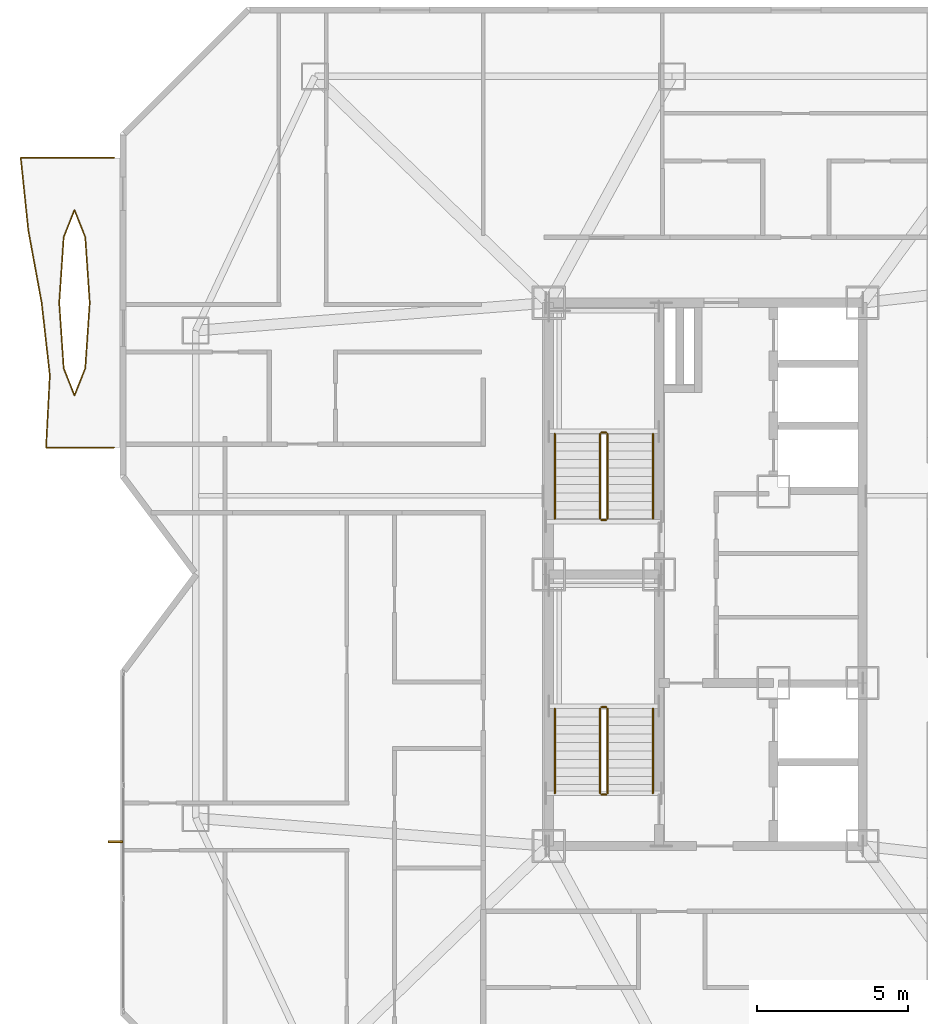
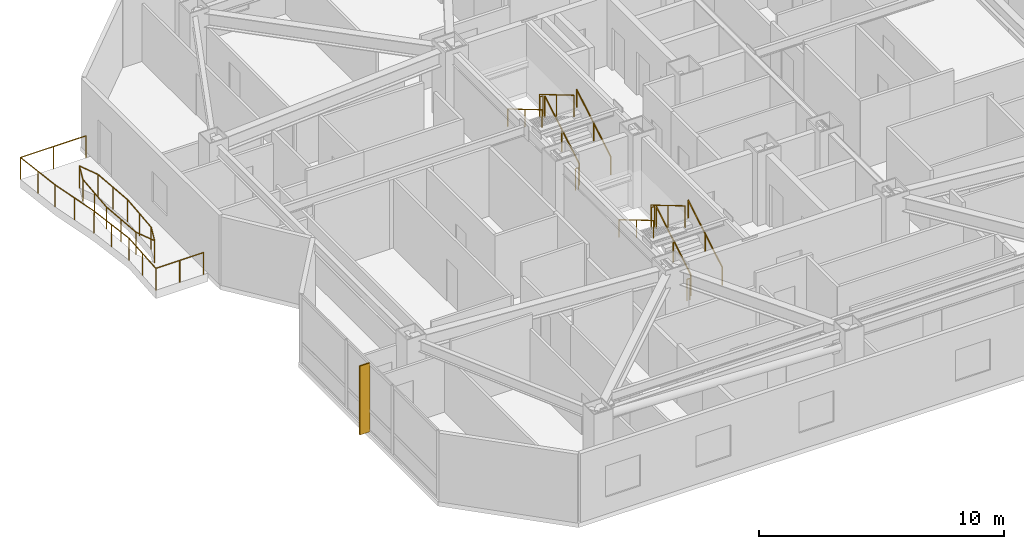
# One storey, part 16 of 17: 16 railings, 1 shading device.
"""IFC4 building model written with IfcOpenShell, lengths in metres."""

from ifc_helpers import new_model, si_unit, direction, frame, origin, origin_2d, place, context, subcontext, project, spatial, rectangle, circle, extrude, material, type_object, element, save


model = new_model("IFC4")

# Units and contexts
model_context = context("Model", 3, precision=1e-05, world=origin(), true_north=direction((0.0, 1.0)))
body_context = subcontext(model_context, "Body", "Model", "MODEL_VIEW")
ifc_project = project(units=[si_unit("LENGTHUNIT", "METRE"), si_unit("AREAUNIT", "SQUARE_METRE"), si_unit("VOLUMEUNIT", "CUBIC_METRE"), si_unit("PLANEANGLEUNIT", "RADIAN"), si_unit("MASSUNIT", "GRAM", prefix="KILO")], contexts=[model_context])

# Site, building, storey
site_placement = place(None, origin())
site = spatial("IfcSite", under=ifc_project, at=site_placement, CompositionType="ELEMENT")
building_placement = place(site_placement, origin())
building = spatial("IfcBuilding", under=site, at=building_placement, Name="Khamvora Tower", CompositionType="ELEMENT")
storey_placement = place(building_placement, frame((0.0, 0.0, 192.39990234375)))
storey = spatial("IfcBuildingStorey", under=building, at=storey_placement, Name="L49", CompositionType="ELEMENT", Elevation=192.39990234375)

# Railings
ifc_material_1 = material(Name="Stainless Steel 316 and Laminated Glass", Category="steel")
railing_type_1 = type_object("IfcRailingType", Name="RAL-GAL-1120", PredefinedType="GUARDRAIL", material=ifc_material_1)
railing_1_placement = place(storey_placement, frame((14.60009765625, 32.199951171875, 0.0)))
element("IfcRailing", 1, at=railing_1_placement, inside=storey, type_object=railing_type_1, Name="L49 lens gallery south perimeter guardrail WL2", PredefinedType="GUARDRAIL", context=body_context, shape_type="SweptSolid", body=[
    extrude(circle(Radius=0.02392578125, at=origin_2d()), frame((0.0, 0.0, 1.09619140625), z_axis=(-1.0, 0.0, 0.0), x_axis=(0.0, -1.0, 0.0)), (0.0, 0.0, 1.0), 2.258056640625),
    extrude(circle(Radius=0.02392578125, at=origin_2d()), frame((-2.258056640625, 0.0, 1.09619140625), z_axis=(0.052009668359, 0.998646581328, 0.0), x_axis=(-0.998646581328, 0.052009668359, 0.0)), (0.0, 0.0, 1.0), 2.4033203125),
    extrude(circle(Radius=0.02392578125, at=origin_2d()), frame((-2.133056640625, 2.400146484375, 1.09619140625), z_axis=(-0.112206535725, 0.993684906467, 0.0), x_axis=(-0.993684906467, -0.112206535725, 0.0)), (0.0, 0.0, 1.0), 2.4150390625),
    extrude(circle(Radius=0.02099609375, at=origin_2d()), origin(), (0.0, 0.0, 1.0), 1.072021484375),
    extrude(circle(Radius=0.02099609375, at=origin_2d()), frame((-1.12890625, 0.0, 0.0)), (0.0, 0.0, 1.0), 1.072021484375),
    extrude(circle(Radius=0.02099609375, at=origin_2d()), frame((-2.258056640625, 0.0, 0.0)), (0.0, 0.0, 1.0), 1.072021484375),
    extrude(circle(Radius=0.02099609375, at=origin_2d()), frame((-2.195556640625, 1.2001953125, 0.0)), (0.0, 0.0, 1.0), 1.072021484375),
    extrude(circle(Radius=0.02099609375, at=origin_2d()), frame((-2.133056640625, 2.400146484375, 0.0)), (0.0, 0.0, 1.0), 1.072021484375),
    extrude(circle(Radius=0.02099609375, at=origin_2d()), frame((-2.2685546875, 3.60009765625, 0.0)), (0.0, 0.0, 1.0), 1.072021484375),
    extrude(circle(Radius=0.02099609375, at=origin_2d()), frame((-2.404052734375, 4.800048828125, 0.0)), (0.0, 0.0, 1.0), 1.072021484375),
])
railing_2_placement = place(storey_placement, frame((12.196044921875, 37.0, 0.0)))
element("IfcRailing", 2, at=railing_2_placement, inside=storey, type_object=railing_type_1, Name="L49 lens gallery north perimeter guardrail WL2", PredefinedType="GUARDRAIL", context=body_context, shape_type="SweptSolid", body=[
    extrude(circle(Radius=0.02392578125, at=origin_2d()), frame((0.0, 0.0, 1.09619140625), z_axis=(-0.181182800435, 0.983449435826, 0.0), x_axis=(-0.983449435826, -0.181182800435, 0.0)), (0.0, 0.0, 1.0), 2.440185546875),
    extrude(circle(Radius=0.02392578125, at=origin_2d()), frame((-0.442138671875, 2.39990234375, 1.09619140625), z_axis=(-0.103599828901, 0.994619060471, 0.0), x_axis=(-0.994619060471, -0.103599828901, 0.0)), (0.0, 0.0, 1.0), 2.4130859375),
    extrude(circle(Radius=0.02392578125, at=origin_2d()), frame((-0.692138671875, 4.800048828125, 1.09619140625), z_axis=(1.0, 0.0, 0.0), x_axis=(0.0, 1.0, 0.0)), (0.0, 0.0, 1.0), 3.09619140625),
    extrude(circle(Radius=0.02099609375, at=origin_2d()), origin(), (0.0, 0.0, 1.0), 1.072021484375),
    extrude(circle(Radius=0.02099609375, at=origin_2d()), frame((-0.22119140625, 1.199951171875, 0.0)), (0.0, 0.0, 1.0), 1.072021484375),
    extrude(circle(Radius=0.02099609375, at=origin_2d()), frame((-0.442138671875, 2.39990234375, 0.0)), (0.0, 0.0, 1.0), 1.072021484375),
    extrude(circle(Radius=0.02099609375, at=origin_2d()), frame((-0.567138671875, 3.60009765625, 0.0)), (0.0, 0.0, 1.0), 1.072021484375),
    extrude(circle(Radius=0.02099609375, at=origin_2d()), frame((-0.692138671875, 4.800048828125, 0.0)), (0.0, 0.0, 1.0), 1.072021484375),
    extrude(circle(Radius=0.02099609375, at=origin_2d()), frame((0.85595703125, 4.800048828125, 0.0)), (0.0, 0.0, 1.0), 1.072021484375),
    extrude(circle(Radius=0.02099609375, at=origin_2d()), frame((2.404052734375, 4.800048828125, 0.0)), (0.0, 0.0, 1.0), 1.072021484375),
])
railing_3_placement = place(storey_placement, frame((13.7890625, 37.0, 0.0)))
element("IfcRailing", 3, at=railing_3_placement, inside=storey, type_object=railing_type_1, Name="L49 lens gallery void guardrail WL2A", PredefinedType="GUARDRAIL", context=body_context, shape_type="SweptSolid", body=[
    extrude(circle(Radius=0.02392578125, at=origin_2d()), frame((0.0, 0.0, 1.09619140625), z_axis=(-0.067955394668, 0.997688360329, 0.0), x_axis=(-0.997688360329, -0.067955394668, 0.0)), (0.0, 0.0, 1.0), 2.17724609375),
    extrude(circle(Radius=0.02392578125, at=origin_2d()), frame((-0.14794921875, 2.172119140625, 1.09619140625), z_axis=(-0.368039364147, 0.929810209902, 0.0), x_axis=(-0.929810209902, -0.368039364147, 0.0)), (0.0, 0.0, 1.0), 0.9677734375),
    extrude(circle(Radius=0.02392578125, at=origin_2d()), frame((-0.504150390625, 3.072021484375, 1.09619140625), z_axis=(-0.367821247872, -0.92989651554, 0.0), x_axis=(0.92989651554, -0.367821247872, 0.0)), (0.0, 0.0, 1.0), 0.9677734375),
    extrude(circle(Radius=0.02392578125, at=origin_2d()), frame((-0.860107421875, 2.172119140625, 1.09619140625), z_axis=(-0.067955394668, -0.997688360329, 0.0), x_axis=(0.997688360329, -0.067955394668, 0.0)), (0.0, 0.0, 1.0), 2.17724609375),
    extrude(circle(Radius=0.02099609375, at=origin_2d()), origin(), (0.0, 0.0, 1.0), 1.072021484375),
    extrude(circle(Radius=0.02099609375, at=origin_2d()), frame((-0.073974609375, 1.0859375, 0.0)), (0.0, 0.0, 1.0), 1.072021484375),
    extrude(circle(Radius=0.02099609375, at=origin_2d()), frame((-0.14794921875, 2.172119140625, 0.0)), (0.0, 0.0, 1.0), 1.072021484375),
    extrude(circle(Radius=0.02099609375, at=origin_2d()), frame((-0.504150390625, 3.072021484375, 0.0)), (0.0, 0.0, 1.0), 1.072021484375),
    extrude(circle(Radius=0.02099609375, at=origin_2d()), frame((-0.860107421875, 2.172119140625, 0.0)), (0.0, 0.0, 1.0), 1.072021484375),
    extrude(circle(Radius=0.02099609375, at=origin_2d()), frame((-0.93408203125, 1.0859375, 0.0)), (0.0, 0.0, 1.0), 1.072021484375),
    extrude(circle(Radius=0.02099609375, at=origin_2d()), frame((-1.008056640625, 0.0, 0.0)), (0.0, 0.0, 1.0), 1.072021484375),
])
railing_4_placement = place(storey_placement, frame((12.781005859375, 37.0, 0.0)))
element("IfcRailing", 4, at=railing_4_placement, inside=storey, type_object=railing_type_1, Name="L49 lens gallery void guardrail WL2B", PredefinedType="GUARDRAIL", context=body_context, shape_type="SweptSolid", body=[
    extrude(circle(Radius=0.02392578125, at=origin_2d()), frame((0.0, 0.0, 1.09619140625), z_axis=(0.067955394668, -0.997688360329, 0.0), x_axis=(0.997688360329, 0.067955394668, 0.0)), (0.0, 0.0, 1.0), 2.17724609375),
    extrude(circle(Radius=0.02392578125, at=origin_2d()), frame((0.14794921875, -2.172119140625, 1.09619140625), z_axis=(0.367821247872, -0.92989651554, 0.0), x_axis=(0.92989651554, 0.367821247872, 0.0)), (0.0, 0.0, 1.0), 0.9677734375),
    extrude(circle(Radius=0.02392578125, at=origin_2d()), frame((0.50390625, -3.072021484375, 1.09619140625), z_axis=(0.368039364147, 0.929810209902, 0.0), x_axis=(-0.929810209902, 0.368039364147, 0.0)), (0.0, 0.0, 1.0), 0.9677734375),
    extrude(circle(Radius=0.02392578125, at=origin_2d()), frame((0.860107421875, -2.172119140625, 1.09619140625), z_axis=(0.067955394668, 0.997688360329, 0.0), x_axis=(-0.997688360329, 0.067955394668, 0.0)), (0.0, 0.0, 1.0), 2.17724609375),
    extrude(circle(Radius=0.02099609375, at=origin_2d()), origin(), (0.0, 0.0, 1.0), 1.072021484375),
    extrude(circle(Radius=0.02099609375, at=origin_2d()), frame((0.073974609375, -1.0859375, 0.0)), (0.0, 0.0, 1.0), 1.072021484375),
    extrude(circle(Radius=0.02099609375, at=origin_2d()), frame((0.14794921875, -2.172119140625, 0.0)), (0.0, 0.0, 1.0), 1.072021484375),
    extrude(circle(Radius=0.02099609375, at=origin_2d()), frame((0.50390625, -3.072021484375, 0.0)), (0.0, 0.0, 1.0), 1.072021484375),
    extrude(circle(Radius=0.02099609375, at=origin_2d()), frame((0.860107421875, -2.172119140625, 0.0)), (0.0, 0.0, 1.0), 1.072021484375),
    extrude(circle(Radius=0.02099609375, at=origin_2d()), frame((0.93408203125, -1.0859375, 0.0)), (0.0, 0.0, 1.0), 1.072021484375),
    extrude(circle(Radius=0.02099609375, at=origin_2d()), frame((1.008056640625, 0.0, 0.0)), (0.0, 0.0, 1.0), 1.072021484375),
])
ifc_material_2 = material(Name="Brushed Stainless Steel 316", Category="steel")
railing_type_2 = type_object("IfcRailingType", Name="RAL-HDR-920", PredefinedType="HANDRAIL", material=ifc_material_2)
railing_5_placement = place(storey_placement, frame((32.449951171875, 20.75, 0.166015625)))
element("IfcRailing", 5, at=railing_5_placement, inside=storey, type_object=railing_type_2, Name="L49 ST-01 stair handrail 1", PredefinedType="HANDRAIL", context=body_context, shape_type="SweptSolid", body=[
    extrude(circle(Radius=0.02392578125, at=origin_2d()), frame((0.0, 0.0, 0.8759765625), z_axis=(0.0, 0.860306154799, 0.50977771628), x_axis=(-1.0, 0.0, 0.0)), (0.0, 0.0, 1.0), 3.254638671875),
    extrude(circle(Radius=0.02099609375, at=origin_2d()), origin(), (0.0, 0.0, 1.0), 0.851806640625),
    extrude(circle(Radius=0.02099609375, at=origin_2d()), frame((0.0, 1.39990234375, 0.82958984375)), (0.0, 0.0, 1.0), 0.851806640625),
    extrude(circle(Radius=0.02099609375, at=origin_2d()), frame((0.0, 2.800048828125, 1.6591796875)), (0.0, 0.0, 1.0), 0.851806640625),
])
railing_6_placement = place(storey_placement, frame((29.199951171875, 23.550048828125, 1.990966796875)))
element("IfcRailing", 6, at=railing_6_placement, inside=storey, type_object=railing_type_2, Name="L49 ST-01 stair handrail 2", PredefinedType="HANDRAIL", context=body_context, shape_type="SweptSolid", body=[
    extrude(circle(Radius=0.02392578125, at=origin_2d()), frame((0.0, 0.0, 0.8759765625), z_axis=(0.0, -0.860306154799, 0.50977771628), x_axis=(1.0, 0.0, 0.0)), (0.0, 0.0, 1.0), 3.254638671875),
    extrude(circle(Radius=0.02099609375, at=origin_2d()), origin(), (0.0, 0.0, 1.0), 0.851806640625),
    extrude(circle(Radius=0.02099609375, at=origin_2d()), frame((0.0, -1.39990234375, 0.82958984375)), (0.0, 0.0, 1.0), 0.851806640625),
    extrude(circle(Radius=0.02099609375, at=origin_2d()), frame((0.0, -2.800048828125, 1.6591796875)), (0.0, 0.0, 1.0), 0.851806640625),
])
railing_7_placement = place(storey_placement, frame((32.449951171875, 29.85009765625, 0.166015625)))
element("IfcRailing", 7, at=railing_7_placement, inside=storey, type_object=railing_type_2, Name="L49 ST-02 stair handrail 1", PredefinedType="HANDRAIL", context=body_context, shape_type="SweptSolid", body=[
    extrude(circle(Radius=0.02392578125, at=origin_2d()), frame((0.0, 0.0, 0.8759765625), z_axis=(0.0, 0.860286659441, 0.509810615413), x_axis=(-1.0, 0.0, 0.0)), (0.0, 0.0, 1.0), 3.25439453125),
    extrude(circle(Radius=0.02099609375, at=origin_2d()), origin(), (0.0, 0.0, 1.0), 0.851806640625),
    extrude(circle(Radius=0.02099609375, at=origin_2d()), frame((0.0, 1.39990234375, 0.82958984375)), (0.0, 0.0, 1.0), 0.851806640625),
    extrude(circle(Radius=0.02099609375, at=origin_2d()), frame((0.0, 2.7998046875, 1.6591796875)), (0.0, 0.0, 1.0), 0.851806640625),
])
railing_8_placement = place(storey_placement, frame((29.199951171875, 32.64990234375, 1.990966796875)))
element("IfcRailing", 8, at=railing_8_placement, inside=storey, type_object=railing_type_2, Name="L49 ST-02 stair handrail 2", PredefinedType="HANDRAIL", context=body_context, shape_type="SweptSolid", body=[
    extrude(circle(Radius=0.02392578125, at=origin_2d()), frame((0.0, 0.0, 0.8759765625), z_axis=(0.0, -0.860286659441, 0.509810615413), x_axis=(1.0, 0.0, 0.0)), (0.0, 0.0, 1.0), 3.25439453125),
    extrude(circle(Radius=0.02099609375, at=origin_2d()), origin(), (0.0, 0.0, 1.0), 0.851806640625),
    extrude(circle(Radius=0.02099609375, at=origin_2d()), frame((0.0, -1.39990234375, 0.82958984375)), (0.0, 0.0, 1.0), 0.851806640625),
    extrude(circle(Radius=0.02099609375, at=origin_2d()), frame((0.0, -2.7998046875, 1.6591796875)), (0.0, 0.0, 1.0), 0.851806640625),
])
ifc_material_3 = material(Name="Stainless Steel 316", Category="steel")
railing_type_3 = type_object("IfcRailingType", Name="RAL-STG-1100", PredefinedType="GUARDRAIL", material=ifc_material_3)
railing_9_placement = place(storey_placement, frame((30.949951171875, 20.75, 0.166015625)))
element("IfcRailing", 9, at=railing_9_placement, inside=storey, type_object=railing_type_3, Name="L49 ST-01 stair guard 1", PredefinedType="GUARDRAIL", context=body_context, shape_type="SweptSolid", body=[
    extrude(circle(Radius=0.02392578125, at=origin_2d()), frame((0.0, 0.0, 1.076171875), z_axis=(0.0, 0.860306154799, 0.50977771628), x_axis=(-1.0, 0.0, 0.0)), (0.0, 0.0, 1.0), 3.254638671875),
    extrude(circle(Radius=0.02099609375, at=origin_2d()), origin(), (0.0, 0.0, 1.0), 1.052001953125),
    extrude(circle(Radius=0.02099609375, at=origin_2d()), frame((0.0, 1.39990234375, 0.82958984375)), (0.0, 0.0, 1.0), 1.052001953125),
    extrude(circle(Radius=0.02099609375, at=origin_2d()), frame((0.0, 2.800048828125, 1.6591796875)), (0.0, 0.0, 1.0), 1.052001953125),
])
railing_10_placement = place(storey_placement, frame((30.89990234375, 23.60009765625, 1.8251953125)))
element("IfcRailing", 10, at=railing_10_placement, inside=storey, type_object=railing_type_3, Name="L49 ST-01 stair guard 2", PredefinedType="GUARDRAIL", context=body_context, shape_type="SweptSolid", body=[
    extrude(circle(Radius=0.02392578125, at=origin_2d()), frame((0.0, 0.0, 1.076171875), z_axis=(-1.0, 0.0, 0.0), x_axis=(0.0, -1.0, 0.0)), (0.0, 0.0, 1.0), 0.14990234375),
    extrude(circle(Radius=0.02099609375, at=origin_2d()), origin(), (0.0, 0.0, 1.0), 1.052001953125),
    extrude(circle(Radius=0.02099609375, at=origin_2d()), frame((-0.14990234375, 0.0, 0.0)), (0.0, 0.0, 1.0), 1.052001953125),
])
railing_11_placement = place(storey_placement, frame((30.699951171875, 23.550048828125, 1.990966796875)))
element("IfcRailing", 11, at=railing_11_placement, inside=storey, type_object=railing_type_3, Name="L49 ST-01 stair guard 3", PredefinedType="GUARDRAIL", context=body_context, shape_type="SweptSolid", body=[
    extrude(circle(Radius=0.02392578125, at=origin_2d()), frame((0.0, 0.0, 1.076171875), z_axis=(0.0, -0.860306154799, 0.50977771628), x_axis=(1.0, 0.0, 0.0)), (0.0, 0.0, 1.0), 3.254638671875),
    extrude(circle(Radius=0.02099609375, at=origin_2d()), origin(), (0.0, 0.0, 1.0), 1.052001953125),
    extrude(circle(Radius=0.02099609375, at=origin_2d()), frame((0.0, -1.39990234375, 0.82958984375)), (0.0, 0.0, 1.0), 1.052001953125),
    extrude(circle(Radius=0.02099609375, at=origin_2d()), frame((0.0, -2.800048828125, 1.6591796875)), (0.0, 0.0, 1.0), 1.052001953125),
])
railing_12_placement = place(storey_placement, frame((30.89990234375, 20.699951171875, 0.0)))
element("IfcRailing", 12, at=railing_12_placement, inside=storey, type_object=railing_type_3, Name="L49 ST-01 stair guard 4", PredefinedType="GUARDRAIL", context=body_context, shape_type="SweptSolid", body=[
    extrude(circle(Radius=0.02392578125, at=origin_2d()), frame((0.0, 0.0, 1.076171875), z_axis=(-1.0, 0.0, 0.0), x_axis=(0.0, -1.0, 0.0)), (0.0, 0.0, 1.0), 0.14990234375),
    extrude(circle(Radius=0.02099609375, at=origin_2d()), origin(), (0.0, 0.0, 1.0), 1.052001953125),
    extrude(circle(Radius=0.02099609375, at=origin_2d()), frame((-0.14990234375, 0.0, 0.0)), (0.0, 0.0, 1.0), 1.052001953125),
])
railing_13_placement = place(storey_placement, frame((30.949951171875, 29.85009765625, 0.166015625)))
element("IfcRailing", 13, at=railing_13_placement, inside=storey, type_object=railing_type_3, Name="L49 ST-02 stair guard 1", PredefinedType="GUARDRAIL", context=body_context, shape_type="SweptSolid", body=[
    extrude(circle(Radius=0.02392578125, at=origin_2d()), frame((0.0, 0.0, 1.076171875), z_axis=(0.0, 0.860286659441, 0.509810615413), x_axis=(-1.0, 0.0, 0.0)), (0.0, 0.0, 1.0), 3.25439453125),
    extrude(circle(Radius=0.02099609375, at=origin_2d()), origin(), (0.0, 0.0, 1.0), 1.052001953125),
    extrude(circle(Radius=0.02099609375, at=origin_2d()), frame((0.0, 1.39990234375, 0.82958984375)), (0.0, 0.0, 1.0), 1.052001953125),
    extrude(circle(Radius=0.02099609375, at=origin_2d()), frame((0.0, 2.7998046875, 1.6591796875)), (0.0, 0.0, 1.0), 1.052001953125),
])
railing_14_placement = place(storey_placement, frame((30.89990234375, 32.699951171875, 1.8251953125)))
element("IfcRailing", 14, at=railing_14_placement, inside=storey, type_object=railing_type_3, Name="L49 ST-02 stair guard 2", PredefinedType="GUARDRAIL", context=body_context, shape_type="SweptSolid", body=[
    extrude(circle(Radius=0.02392578125, at=origin_2d()), frame((0.0, 0.0, 1.076171875), z_axis=(-1.0, 0.0, 0.0), x_axis=(0.0, -1.0, 0.0)), (0.0, 0.0, 1.0), 0.14990234375),
    extrude(circle(Radius=0.02099609375, at=origin_2d()), origin(), (0.0, 0.0, 1.0), 1.052001953125),
    extrude(circle(Radius=0.02099609375, at=origin_2d()), frame((-0.14990234375, 0.0, 0.0)), (0.0, 0.0, 1.0), 1.052001953125),
])
railing_15_placement = place(storey_placement, frame((30.699951171875, 32.64990234375, 1.990966796875)))
element("IfcRailing", 15, at=railing_15_placement, inside=storey, type_object=railing_type_3, Name="L49 ST-02 stair guard 3", PredefinedType="GUARDRAIL", context=body_context, shape_type="SweptSolid", body=[
    extrude(circle(Radius=0.02392578125, at=origin_2d()), frame((0.0, 0.0, 1.076171875), z_axis=(0.0, -0.860286659441, 0.509810615413), x_axis=(1.0, 0.0, 0.0)), (0.0, 0.0, 1.0), 3.25439453125),
    extrude(circle(Radius=0.02099609375, at=origin_2d()), origin(), (0.0, 0.0, 1.0), 1.052001953125),
    extrude(circle(Radius=0.02099609375, at=origin_2d()), frame((0.0, -1.39990234375, 0.82958984375)), (0.0, 0.0, 1.0), 1.052001953125),
    extrude(circle(Radius=0.02099609375, at=origin_2d()), frame((0.0, -2.7998046875, 1.6591796875)), (0.0, 0.0, 1.0), 1.052001953125),
])
railing_16_placement = place(storey_placement, frame((30.89990234375, 29.800048828125, 0.0)))
element("IfcRailing", 16, at=railing_16_placement, inside=storey, type_object=railing_type_3, Name="L49 ST-02 stair guard 4", PredefinedType="GUARDRAIL", context=body_context, shape_type="SweptSolid", body=[
    extrude(circle(Radius=0.02392578125, at=origin_2d()), frame((0.0, 0.0, 1.076171875), z_axis=(-1.0, 0.0, 0.0), x_axis=(0.0, -1.0, 0.0)), (0.0, 0.0, 1.0), 0.14990234375),
    extrude(circle(Radius=0.02099609375, at=origin_2d()), origin(), (0.0, 0.0, 1.0), 1.052001953125),
    extrude(circle(Radius=0.02099609375, at=origin_2d()), frame((-0.14990234375, 0.0, 0.0)), (0.0, 0.0, 1.0), 1.052001953125),
])

# Shading device
ifc_material_4 = material(Name="Anodised Bronze Aluminium 6063-T6", Category="aluminium")
shading_device_type = type_object("IfcShadingDeviceType", Name="SHD-FIN-480", PredefinedType="USERDEFINED", material=ifc_material_4)
shading_device_placement = place(storey_placement, frame((14.64306640625, 19.135986328125, 0.0), z_axis=(0.0, 0.0, 1.0), x_axis=(0.0, 1.0, 0.0)))
element("IfcShadingDevice", 17, at=shading_device_placement, inside=storey, type_object=shading_device_type, Name="L49 anodised bronze solar fin 02.01", ObjectType="FIN", PredefinedType="USERDEFINED", context=body_context, shape_type="SweptSolid", body=[
    extrude(rectangle(XDim=0.06494140625, YDim=0.47998046875, at=origin_2d()), origin(), (0.0, 0.0, 1.0), 3.429931640625),
])

save(model, "model.ifc")
